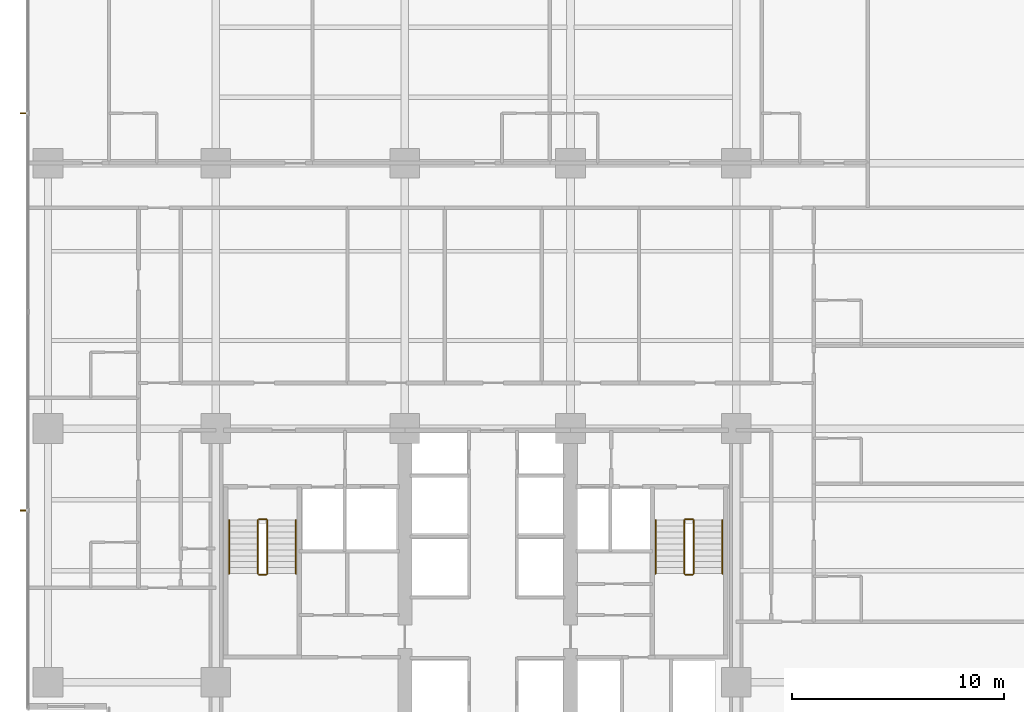
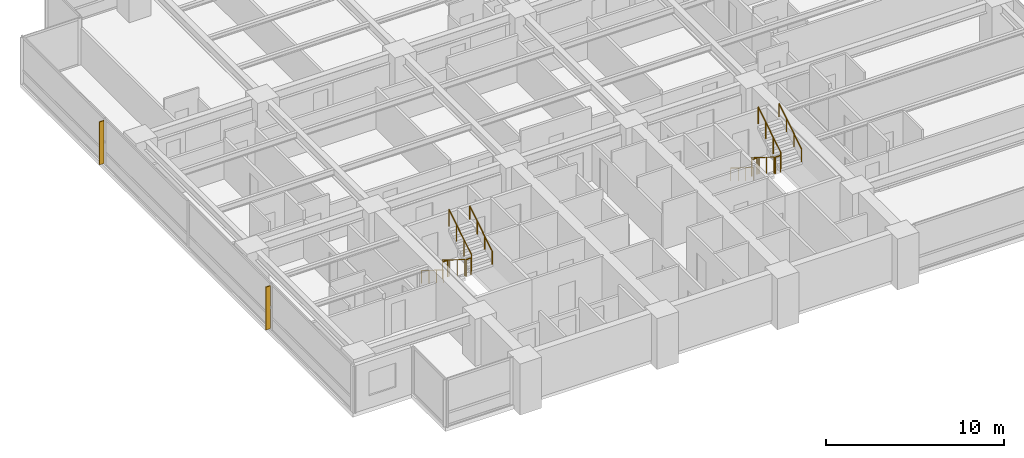
# One storey, part 15 of 17: 12 railings, 2 shading devices.
"""IFC4 building model written with IfcOpenShell, lengths in metres."""

import ifcopenshell
import ifcopenshell.guid

model = None  # the IFC model being written
_history = None  # IfcOwnerHistory: only IFC2X3 demands one
_inside = {}  # id of a spatial element -> (the spatial element, [elements in it])
_under = {}  # id of a project, library or spatial element -> (it, [spatial elements below it])
_declared = {}  # id of a project -> (the project, [libraries it declares])
_typed = {}  # id of a type object -> (the type object, [elements of that type])
_made_of = {}  # id of a material, layer set ... -> (it, [elements and type objects made of it])


def new_model(schema):
    """Start an empty IFC model of exactly this schema.

    Asked for "IFC4X3", IfcOpenShell would pick the latest addendum, in which some entities
    have other attributes; the version numbers below select the first issue.
    IFC2X3 requires an IfcOwnerHistory on every rooted entity: one is made here for all.
    """
    global model, _history
    if schema == "IFC4X3":
        model = ifcopenshell.file(schema_version=(4, 3, 0, 0))
    else:
        model = ifcopenshell.file(schema=schema)
    _inside.clear()
    _under.clear()
    _declared.clear()
    _typed.clear()
    _made_of.clear()
    _history = None
    if model.schema == "IFC2X3":
        org = make("IfcOrganization", Name="unknown")
        user = make(
            "IfcPersonAndOrganization",
            ThePerson=make("IfcPerson", FamilyName="unknown"),
            TheOrganization=org,
        )
        app = make(
            "IfcApplication",
            ApplicationDeveloper=org,
            Version="unknown",
            ApplicationFullName="unknown",
            ApplicationIdentifier="unknown",
        )
        _history = make(
            "IfcOwnerHistory",
            OwningUser=user,
            OwningApplication=app,
            ChangeAction="ADDED",
            CreationDate=0,
        )
    return model


def make(cls, **values):
    """One entity of the class cls with the attributes given. An attribute that is None is left unset."""
    return model.create_entity(
        cls, **{name: value for name, value in values.items() if value is not None}
    )


def rooted(cls, **values):
    """An entity with a GlobalId (a new one), such as an element, a storey or a relation."""
    return make(cls, GlobalId=ifcopenshell.guid.new(), OwnerHistory=_history, **values)


def si_unit(unit_type, name, prefix=None):
    """IfcSIUnit, for example si_unit("LENGTHUNIT", "METRE", prefix="MILLI")."""
    return make("IfcSIUnit", UnitType=unit_type, Prefix=prefix, Name=name)


def assignment(units):
    """IfcUnitAssignment: the units of a project."""
    return None if units is None else make("IfcUnitAssignment", Units=units)


def point(xyz):
    """IfcCartesianPoint."""
    return None if xyz is None else make("IfcCartesianPoint", Coordinates=xyz)


def direction(xyz):
    """IfcDirection."""
    return None if xyz is None else make("IfcDirection", DirectionRatios=xyz)


def frame(location, z_axis=None, x_axis=None):
    """IfcAxis2Placement3D, a coordinate frame: its origin and axes. An axis left out is left unset."""
    return make(
        "IfcAxis2Placement3D",
        Location=point(location),
        Axis=direction(z_axis),
        RefDirection=direction(x_axis),
    )


def frame_2d(location, x_axis=None):
    """IfcAxis2Placement2D, a coordinate frame in the plane: its origin and x axis."""
    return make(
        "IfcAxis2Placement2D", Location=point(location), RefDirection=direction(x_axis)
    )


def origin():
    """The frame at (0, 0, 0) with its axes left unset."""
    return frame((0.0, 0.0, 0.0))


def origin_2d():
    """The frame at (0, 0) in the plane with its x axis left unset."""
    return frame_2d((0.0, 0.0))


def place(relative_to, where):
    """IfcLocalPlacement: puts the frame where relative to a parent placement (None: the world)."""
    return make(
        "IfcLocalPlacement", PlacementRelTo=relative_to, RelativePlacement=where
    )


def context(
    kind, dimensions, precision=None, world=None, true_north=None, identifier=None
):
    """IfcGeometricRepresentationContext, for example the 3D "Model" context."""
    return make(
        "IfcGeometricRepresentationContext",
        ContextIdentifier=identifier,
        ContextType=kind,
        CoordinateSpaceDimension=dimensions,
        Precision=precision,
        WorldCoordinateSystem=world,
        TrueNorth=true_north,
    )


def subcontext(parent, identifier, kind, view, scale=None):
    """IfcGeometricRepresentationSubContext, for example "Body" below "Model"."""
    return make(
        "IfcGeometricRepresentationSubContext",
        ContextIdentifier=identifier,
        ContextType=kind,
        ParentContext=parent,
        TargetScale=scale,
        TargetView=view,
    )


def project(units=None, contexts=None):
    """IfcProject with its units and contexts."""
    return rooted(
        "IfcProject",
        Name="project",
        RepresentationContexts=contexts,
        UnitsInContext=assignment(units),
    )


def spatial(cls, under=None, at=None, **own):
    """A site, building, storey or space (cls), placed at a placement, below another one or the project."""
    s = rooted(cls, ObjectPlacement=at, **own)
    if under is not None:
        _under.setdefault(under.id(), (under, []))[1].append(s)
    return s


def polyline(points):
    """IfcPolyline through the points."""
    return make("IfcPolyline", Points=[point(p) for p in points])


def profile(cls, at=None, kind="AREA", **sizes):
    """A parametric profile (cls). Its sizes go by their IFC names, for example OverallWidth=200.0."""
    return make(cls, ProfileType=kind, Position=at, **sizes)


def circle(**sizes):
    """IfcCircleProfileDef."""
    return profile("IfcCircleProfileDef", **sizes)


def outline(outer, holes=None, kind="AREA"):
    """IfcArbitraryClosedProfileDef: a profile drawn as a closed curve; with holes, ...WithVoids."""
    if holes is None:
        return make("IfcArbitraryClosedProfileDef", ProfileType=kind, OuterCurve=outer)
    return make(
        "IfcArbitraryProfileDefWithVoids",
        ProfileType=kind,
        OuterCurve=outer,
        InnerCurves=holes,
    )


def extrude(swept, where, along, depth):
    """IfcExtrudedAreaSolid: the profile swept, set in the frame where, extruded along a direction by depth."""
    return make(
        "IfcExtrudedAreaSolid",
        SweptArea=swept,
        Position=where,
        ExtrudedDirection=direction(along),
        Depth=depth,
    )


def shape(context_of_items, identifier, shape_type, items):
    """IfcShapeRepresentation: the items that make up one representation, for example the "Body"."""
    return make(
        "IfcShapeRepresentation",
        ContextOfItems=context_of_items,
        RepresentationIdentifier=identifier,
        RepresentationType=shape_type,
        Items=items,
    )


def material(Name=None, Category=None):
    """IfcMaterial."""
    return make("IfcMaterial", Name=Name, Category=Category)


def layer(
    of_material, thickness, ventilated=None, Name=None, Category=None, Priority=None
):
    """IfcMaterialLayer: one layer of a wall or slab, of a material (None: an air gap)."""
    return make(
        "IfcMaterialLayer",
        Material=of_material,
        LayerThickness=thickness,
        IsVentilated=ventilated,
        Name=Name,
        Category=Category,
        Priority=Priority,
    )


def layer_set(layers, Name=None):
    """IfcMaterialLayerSet."""
    return make("IfcMaterialLayerSet", MaterialLayers=layers, LayerSetName=Name)


def made_of(thing, what):
    """Note that an element or type object is made of a material, layer set ...; save() writes the relation."""
    if what is not None:
        _made_of.setdefault(what.id(), (what, []))[1].append(thing)
    return thing


def type_object(cls, material=None, **own):
    """A type object (cls), such as IfcWallType, which elements share."""
    return made_of(rooted(cls, **own), material)


def element(
    cls,
    number,
    at=None,
    inside=None,
    cuts=None,
    type_object=None,
    material=None,
    context=None,
    identifier="Body",
    shape_type=None,
    held_by="IfcProductDefinitionShape",
    body=None,
    shapes=None,
    **own,
):
    """One element of the class cls, such as IfcWall. Its Tag is "e" and its number.

    at: its placement. inside: the storey or other place that contains it. cuts: it is an
    opening in that element (IfcRelVoidsElement). A single representation is given by context,
    identifier, shape_type and body (its items); several are given by shapes. held_by: the class
    of the entity that holds the representations. save() writes the other relations.
    """
    e = rooted(cls, Tag="e%d" % number, ObjectPlacement=at, **own)
    if body is not None:
        shapes = [shape(context, identifier, shape_type, body)]
    if shapes is not None:
        e.Representation = make(held_by, Representations=shapes)
    if inside is not None:
        _inside.setdefault(inside.id(), (inside, []))[1].append(e)
    if cuts is not None:
        rooted(
            "IfcRelVoidsElement", RelatingBuildingElement=cuts, RelatedOpeningElement=e
        )
    if type_object is not None:
        _typed.setdefault(type_object.id(), (type_object, []))[1].append(e)
    return made_of(e, material)


def aggregate(whole, parts):
    """IfcRelAggregates: a whole, such as a stair, and the parts it consists of."""
    return rooted("IfcRelAggregates", RelatingObject=whole, RelatedObjects=parts)


def save(model, path):
    """Write the relations noted so far, then the file.

    IfcRelAggregates (storeys below a building ...), IfcRelContainedInSpatialStructure (elements
    in a storey), IfcRelDefinesByType, IfcRelAssociatesMaterial and IfcRelDeclares: one each for
    every whole, place, type object, material and project.
    """
    for whole, parts in _under.values():
        aggregate(whole, parts)
    for where, things in _inside.values():
        rooted(
            "IfcRelContainedInSpatialStructure",
            RelatedElements=things,
            RelatingStructure=where,
        )
    for kind, things in _typed.values():
        rooted("IfcRelDefinesByType", RelatedObjects=things, RelatingType=kind)
    for what, things in _made_of.values():
        rooted("IfcRelAssociatesMaterial", RelatedObjects=things, RelatingMaterial=what)
    for by, libraries in _declared.values():
        rooted("IfcRelDeclares", RelatingContext=by, RelatedDefinitions=libraries)
    model.write(path)


model = new_model("IFC4")

# Units and contexts
model_context = context("Model", 3, precision=1e-05, world=origin(), true_north=direction((0.0, 1.0)))
body_context = subcontext(model_context, "Body", "Model", "MODEL_VIEW")
ifc_project = project(units=[si_unit("LENGTHUNIT", "METRE"), si_unit("AREAUNIT", "SQUARE_METRE"), si_unit("VOLUMEUNIT", "CUBIC_METRE"), si_unit("PLANEANGLEUNIT", "RADIAN"), si_unit("MASSUNIT", "GRAM", prefix="KILO")], contexts=[model_context])

# Site, building, storey
site_placement = place(None, origin())
site = spatial("IfcSite", under=ifc_project, at=site_placement, CompositionType="ELEMENT")
building_placement = place(site_placement, origin())
building = spatial("IfcBuilding", under=site, at=building_placement, Name="Qalmaran Belvedere Hotel", CompositionType="ELEMENT")
storey_placement = place(building_placement, frame((0.0, 0.0, 47.39990234375)))
storey = spatial("IfcBuildingStorey", under=building, at=storey_placement, Name="L11", CompositionType="ELEMENT", Elevation=47.39990234375)

# Shading devices
ifc_material_1 = material(Name="Anodised Bronze Aluminium", Category="aluminium")
ifc_layer = layer(ifc_material_1, 0.06494140625, Name="Anodised Bronze Aluminium")
ifc_layer_set = layer_set([ifc_layer], Name="Anodised Bronze Aluminium")
shading_device_type = type_object("IfcShadingDeviceType", Name="FIN-BRNZ-300", PredefinedType="USERDEFINED", material=ifc_layer_set)
shading_device_1_placement = place(storey_placement, frame((0.0, 0.0, 0.16015625)))
element("IfcShadingDevice", 1, at=shading_device_1_placement, inside=storey, type_object=shading_device_type, Name="L11 Bronze Fin 1", ObjectType="FIN", PredefinedType="USERDEFINED", context=body_context, shape_type="SweptSolid", body=[
    extrude(outline(polyline([(11.37744140625, 35.382568359375), (11.077392578125, 35.382568359375), (11.077392578125, 35.3173828125), (11.37744140625, 35.3173828125), (11.37744140625, 35.382568359375)])), origin(), (0.0, 0.0, 1.0), 2.93994140625),
])
shading_device_2_placement = place(storey_placement, frame((0.0, 0.0, 0.16015625)))
element("IfcShadingDevice", 2, at=shading_device_2_placement, inside=storey, type_object=shading_device_type, Name="L11 Bronze Fin 3", ObjectType="FIN", PredefinedType="USERDEFINED", context=body_context, shape_type="SweptSolid", body=[
    extrude(outline(polyline([(11.37744140625, 16.6826171875), (11.077392578125, 16.6826171875), (11.077392578125, 16.617431640625), (11.37744140625, 16.617431640625), (11.37744140625, 16.6826171875)])), origin(), (0.0, 0.0, 1.0), 2.93994140625),
])

# Railings
ifc_material_2 = material(Name="Stainless Steel 1.4401", Category="steel")
railing_type_1 = type_object("IfcRailingType", Name="RLG-STAIR-GUARD-1150", PredefinedType="GUARDRAIL", material=ifc_material_2)
railing_1_placement = place(storey_placement, frame((22.280029296875, 16.18994140625, 0.175048828125)))
element("IfcRailing", 3, at=railing_1_placement, inside=storey, type_object=railing_type_1, Name="L11 ST-1 stair guard 1", PredefinedType="GUARDRAIL", context=body_context, shape_type="SweptSolid", body=[
    extrude(circle(Radius=0.02392578125, at=origin_2d()), frame((0.0, 0.0, 1.1259765625), z_axis=(0.0, -0.848007534815, 0.529984170421), x_axis=(1.0, 0.0, 0.0)), (0.0, 0.0, 1.0), 2.9716796875),
    extrude(circle(Radius=0.02099609375, at=origin_2d()), origin(), (0.0, 0.0, 1.0), 1.101806640625),
    extrude(circle(Radius=0.02099609375, at=origin_2d()), frame((0.0, -0.840087890625, 0.52490234375)), (0.0, 0.0, 1.0), 1.101806640625),
    extrude(circle(Radius=0.02099609375, at=origin_2d()), frame((0.0, -1.679931640625, 1.050048828125)), (0.0, 0.0, 1.0), 1.101806640625),
    extrude(circle(Radius=0.02099609375, at=origin_2d()), frame((0.0, -2.52001953125, 1.574951171875)), (0.0, 0.0, 1.0), 1.101806640625),
])
railing_2_placement = place(storey_placement, frame((22.330078125, 13.6201171875, 1.75)))
element("IfcRailing", 4, at=railing_2_placement, inside=storey, type_object=railing_type_1, Name="L11 ST-1 stair guard 2", PredefinedType="GUARDRAIL", context=body_context, shape_type="SweptSolid", body=[
    extrude(circle(Radius=0.02392578125, at=origin_2d()), frame((0.0, 0.0, 1.1259765625), z_axis=(1.0, 0.0, 0.0), x_axis=(0.0, 1.0, 0.0)), (0.0, 0.0, 1.0), 0.33984375),
    extrude(circle(Radius=0.02099609375, at=origin_2d()), origin(), (0.0, 0.0, 1.0), 1.101806640625),
    extrude(circle(Radius=0.02099609375, at=origin_2d()), frame((0.33984375, 0.0, 0.0)), (0.0, 0.0, 1.0), 1.101806640625),
])
railing_3_placement = place(storey_placement, frame((22.719970703125, 13.669921875, 1.925048828125)))
element("IfcRailing", 5, at=railing_3_placement, inside=storey, type_object=railing_type_1, Name="L11 ST-1 stair guard 3", PredefinedType="GUARDRAIL", context=body_context, shape_type="SweptSolid", body=[
    extrude(circle(Radius=0.02392578125, at=origin_2d()), frame((0.0, 0.0, 1.1259765625), z_axis=(0.0, 0.848007534815, 0.529984170421), x_axis=(-1.0, 0.0, 0.0)), (0.0, 0.0, 1.0), 2.9716796875),
    extrude(circle(Radius=0.02099609375, at=origin_2d()), origin(), (0.0, 0.0, 1.0), 1.101806640625),
    extrude(circle(Radius=0.02099609375, at=origin_2d()), frame((0.0, 0.840087890625, 0.52490234375)), (0.0, 0.0, 1.0), 1.101806640625),
    extrude(circle(Radius=0.02099609375, at=origin_2d()), frame((0.0, 1.679931640625, 1.050048828125)), (0.0, 0.0, 1.0), 1.101806640625),
    extrude(circle(Radius=0.02099609375, at=origin_2d()), frame((0.0, 2.52001953125, 1.574951171875)), (0.0, 0.0, 1.0), 1.101806640625),
])
railing_4_placement = place(storey_placement, frame((22.330078125, 16.239990234375, 0.0)))
element("IfcRailing", 6, at=railing_4_placement, inside=storey, type_object=railing_type_1, Name="L11 ST-1 stair guard 4", PredefinedType="GUARDRAIL", context=body_context, shape_type="SweptSolid", body=[
    extrude(circle(Radius=0.02392578125, at=origin_2d()), frame((0.0, 0.0, 1.1259765625), z_axis=(1.0, 0.0, 0.0), x_axis=(0.0, 1.0, 0.0)), (0.0, 0.0, 1.0), 0.33984375),
    extrude(circle(Radius=0.02099609375, at=origin_2d()), origin(), (0.0, 0.0, 1.0), 1.101806640625),
    extrude(circle(Radius=0.02099609375, at=origin_2d()), frame((0.33984375, 0.0, 0.0)), (0.0, 0.0, 1.0), 1.101806640625),
])
railing_5_placement = place(storey_placement, frame((42.360107421875, 16.18994140625, 0.175048828125)))
element("IfcRailing", 7, at=railing_5_placement, inside=storey, type_object=railing_type_1, Name="L11 ST-2 stair guard 1", PredefinedType="GUARDRAIL", context=body_context, shape_type="SweptSolid", body=[
    extrude(circle(Radius=0.02392578125, at=origin_2d()), frame((0.0, 0.0, 1.1259765625), z_axis=(0.0, -0.848007534815, 0.529984170421), x_axis=(1.0, 0.0, 0.0)), (0.0, 0.0, 1.0), 2.9716796875),
    extrude(circle(Radius=0.02099609375, at=origin_2d()), origin(), (0.0, 0.0, 1.0), 1.101806640625),
    extrude(circle(Radius=0.02099609375, at=origin_2d()), frame((0.0, -0.840087890625, 0.52490234375)), (0.0, 0.0, 1.0), 1.101806640625),
    extrude(circle(Radius=0.02099609375, at=origin_2d()), frame((0.0, -1.679931640625, 1.050048828125)), (0.0, 0.0, 1.0), 1.101806640625),
    extrude(circle(Radius=0.02099609375, at=origin_2d()), frame((0.0, -2.52001953125, 1.574951171875)), (0.0, 0.0, 1.0), 1.101806640625),
])
railing_6_placement = place(storey_placement, frame((42.409912109375, 13.6201171875, 1.75)))
element("IfcRailing", 8, at=railing_6_placement, inside=storey, type_object=railing_type_1, Name="L11 ST-2 stair guard 2", PredefinedType="GUARDRAIL", context=body_context, shape_type="SweptSolid", body=[
    extrude(circle(Radius=0.02392578125, at=origin_2d()), frame((0.0, 0.0, 1.1259765625), z_axis=(1.0, 0.0, 0.0), x_axis=(0.0, 1.0, 0.0)), (0.0, 0.0, 1.0), 0.340087890625),
    extrude(circle(Radius=0.02099609375, at=origin_2d()), origin(), (0.0, 0.0, 1.0), 1.101806640625),
    extrude(circle(Radius=0.02099609375, at=origin_2d()), frame((0.340087890625, 0.0, 0.0)), (0.0, 0.0, 1.0), 1.101806640625),
])
railing_7_placement = place(storey_placement, frame((42.800048828125, 13.669921875, 1.925048828125)))
element("IfcRailing", 9, at=railing_7_placement, inside=storey, type_object=railing_type_1, Name="L11 ST-2 stair guard 3", PredefinedType="GUARDRAIL", context=body_context, shape_type="SweptSolid", body=[
    extrude(circle(Radius=0.02392578125, at=origin_2d()), frame((0.0, 0.0, 1.1259765625), z_axis=(0.0, 0.848007534815, 0.529984170421), x_axis=(-1.0, 0.0, 0.0)), (0.0, 0.0, 1.0), 2.9716796875),
    extrude(circle(Radius=0.02099609375, at=origin_2d()), origin(), (0.0, 0.0, 1.0), 1.101806640625),
    extrude(circle(Radius=0.02099609375, at=origin_2d()), frame((0.0, 0.840087890625, 0.52490234375)), (0.0, 0.0, 1.0), 1.101806640625),
    extrude(circle(Radius=0.02099609375, at=origin_2d()), frame((0.0, 1.679931640625, 1.050048828125)), (0.0, 0.0, 1.0), 1.101806640625),
    extrude(circle(Radius=0.02099609375, at=origin_2d()), frame((0.0, 2.52001953125, 1.574951171875)), (0.0, 0.0, 1.0), 1.101806640625),
])
railing_8_placement = place(storey_placement, frame((42.409912109375, 16.239990234375, 0.0)))
element("IfcRailing", 10, at=railing_8_placement, inside=storey, type_object=railing_type_1, Name="L11 ST-2 stair guard 4", PredefinedType="GUARDRAIL", context=body_context, shape_type="SweptSolid", body=[
    extrude(circle(Radius=0.02392578125, at=origin_2d()), frame((0.0, 0.0, 1.1259765625), z_axis=(1.0, 0.0, 0.0), x_axis=(0.0, 1.0, 0.0)), (0.0, 0.0, 1.0), 0.340087890625),
    extrude(circle(Radius=0.02099609375, at=origin_2d()), origin(), (0.0, 0.0, 1.0), 1.101806640625),
    extrude(circle(Radius=0.02099609375, at=origin_2d()), frame((0.340087890625, 0.0, 0.0)), (0.0, 0.0, 1.0), 1.101806640625),
])
railing_type_2 = type_object("IfcRailingType", Name="RLG-STAIR-HAND-910", PredefinedType="HANDRAIL", material=ifc_material_2)
railing_9_placement = place(storey_placement, frame((20.929931640625, 16.18994140625, 0.175048828125)))
element("IfcRailing", 11, at=railing_9_placement, inside=storey, type_object=railing_type_2, Name="L11 ST-1 stair handrail 1", PredefinedType="HANDRAIL", context=body_context, shape_type="SweptSolid", body=[
    extrude(circle(Radius=0.02392578125, at=origin_2d()), frame((0.0, 0.0, 0.8857421875), z_axis=(0.0, -0.848007534815, 0.529984170421), x_axis=(1.0, 0.0, 0.0)), (0.0, 0.0, 1.0), 2.9716796875),
    extrude(circle(Radius=0.02099609375, at=origin_2d()), origin(), (0.0, 0.0, 1.0), 0.86181640625),
    extrude(circle(Radius=0.02099609375, at=origin_2d()), frame((0.0, -0.840087890625, 0.52490234375)), (0.0, 0.0, 1.0), 0.86181640625),
    extrude(circle(Radius=0.02099609375, at=origin_2d()), frame((0.0, -1.679931640625, 1.050048828125)), (0.0, 0.0, 1.0), 0.86181640625),
    extrude(circle(Radius=0.02099609375, at=origin_2d()), frame((0.0, -2.52001953125, 1.574951171875)), (0.0, 0.0, 1.0), 0.86181640625),
])
railing_10_placement = place(storey_placement, frame((24.070068359375, 13.669921875, 1.925048828125)))
element("IfcRailing", 12, at=railing_10_placement, inside=storey, type_object=railing_type_2, Name="L11 ST-1 stair handrail 2", PredefinedType="HANDRAIL", context=body_context, shape_type="SweptSolid", body=[
    extrude(circle(Radius=0.02392578125, at=origin_2d()), frame((0.0, 0.0, 0.8857421875), z_axis=(0.0, 0.848007534815, 0.529984170421), x_axis=(-1.0, 0.0, 0.0)), (0.0, 0.0, 1.0), 2.9716796875),
    extrude(circle(Radius=0.02099609375, at=origin_2d()), origin(), (0.0, 0.0, 1.0), 0.86181640625),
    extrude(circle(Radius=0.02099609375, at=origin_2d()), frame((0.0, 0.840087890625, 0.52490234375)), (0.0, 0.0, 1.0), 0.86181640625),
    extrude(circle(Radius=0.02099609375, at=origin_2d()), frame((0.0, 1.679931640625, 1.050048828125)), (0.0, 0.0, 1.0), 0.86181640625),
    extrude(circle(Radius=0.02099609375, at=origin_2d()), frame((0.0, 2.52001953125, 1.574951171875)), (0.0, 0.0, 1.0), 0.86181640625),
])
railing_11_placement = place(storey_placement, frame((41.010009765625, 16.18994140625, 0.175048828125)))
element("IfcRailing", 13, at=railing_11_placement, inside=storey, type_object=railing_type_2, Name="L11 ST-2 stair handrail 1", PredefinedType="HANDRAIL", context=body_context, shape_type="SweptSolid", body=[
    extrude(circle(Radius=0.02392578125, at=origin_2d()), frame((0.0, 0.0, 0.8857421875), z_axis=(0.0, -0.848007534815, 0.529984170421), x_axis=(1.0, 0.0, 0.0)), (0.0, 0.0, 1.0), 2.9716796875),
    extrude(circle(Radius=0.02099609375, at=origin_2d()), origin(), (0.0, 0.0, 1.0), 0.86181640625),
    extrude(circle(Radius=0.02099609375, at=origin_2d()), frame((0.0, -0.840087890625, 0.52490234375)), (0.0, 0.0, 1.0), 0.86181640625),
    extrude(circle(Radius=0.02099609375, at=origin_2d()), frame((0.0, -1.679931640625, 1.050048828125)), (0.0, 0.0, 1.0), 0.86181640625),
    extrude(circle(Radius=0.02099609375, at=origin_2d()), frame((0.0, -2.52001953125, 1.574951171875)), (0.0, 0.0, 1.0), 0.86181640625),
])
railing_12_placement = place(storey_placement, frame((44.14990234375, 13.669921875, 1.925048828125)))
element("IfcRailing", 14, at=railing_12_placement, inside=storey, type_object=railing_type_2, Name="L11 ST-2 stair handrail 2", PredefinedType="HANDRAIL", context=body_context, shape_type="SweptSolid", body=[
    extrude(circle(Radius=0.02392578125, at=origin_2d()), frame((0.0, 0.0, 0.8857421875), z_axis=(0.0, 0.848007534815, 0.529984170421), x_axis=(-1.0, 0.0, 0.0)), (0.0, 0.0, 1.0), 2.9716796875),
    extrude(circle(Radius=0.02099609375, at=origin_2d()), origin(), (0.0, 0.0, 1.0), 0.86181640625),
    extrude(circle(Radius=0.02099609375, at=origin_2d()), frame((0.0, 0.840087890625, 0.52490234375)), (0.0, 0.0, 1.0), 0.86181640625),
    extrude(circle(Radius=0.02099609375, at=origin_2d()), frame((0.0, 1.679931640625, 1.050048828125)), (0.0, 0.0, 1.0), 0.86181640625),
    extrude(circle(Radius=0.02099609375, at=origin_2d()), frame((0.0, 2.52001953125, 1.574951171875)), (0.0, 0.0, 1.0), 0.86181640625),
])

save(model, "model.ifc")
